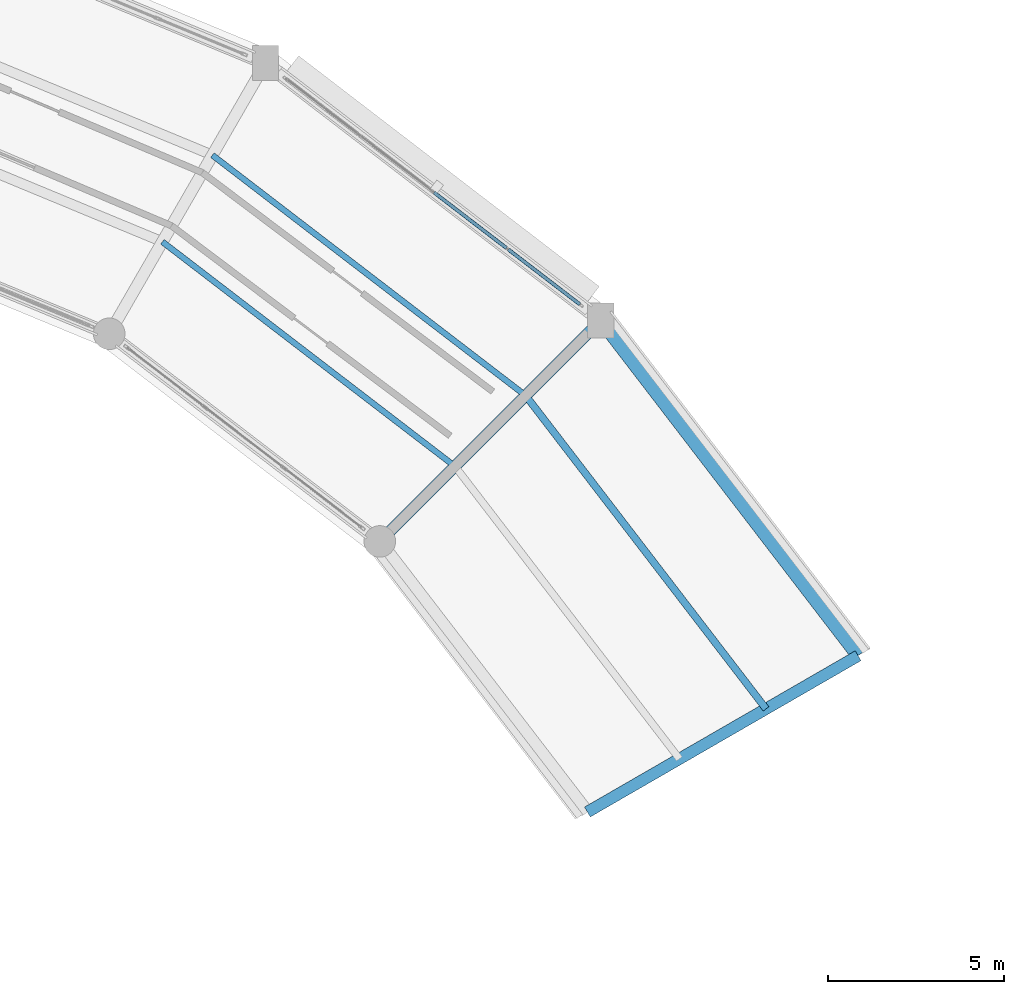
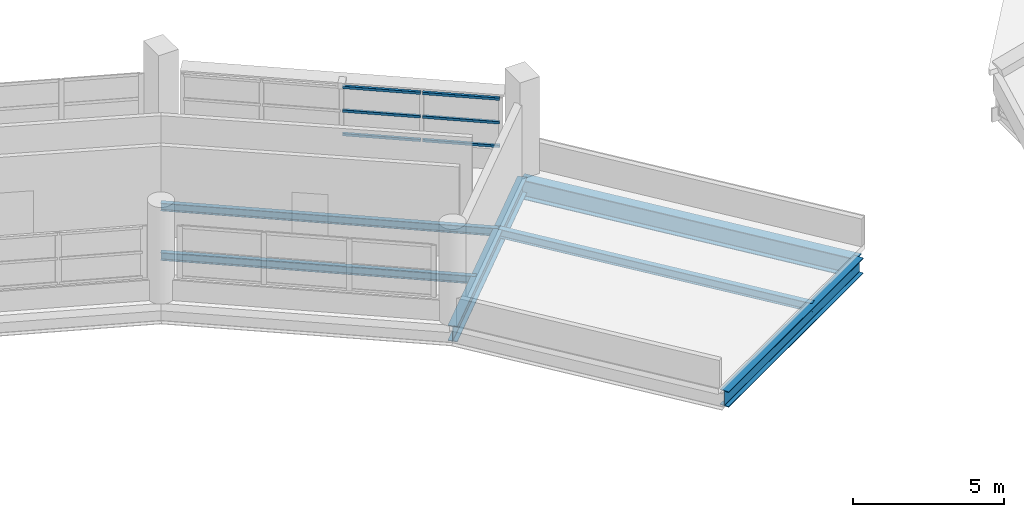
# One storey, part 47 of 88: 6 beams, 6 members, 1 element without a shape of its own.
"""IFC4 building model written with IfcOpenShell, lengths in metres."""

from ifc_helpers import new_model, si_unit, direction, frame, origin, origin_2d, place, context, subcontext, project, spatial, hollow_rectangle, i_section, extrude, material, layer, layer_set, material_profile, profile_set, type_object, element, aggregate, save


model = new_model("IFC4")

# Units and contexts
model_context = context("Model", 3, precision=1e-05, world=origin(), true_north=direction((0.0, 1.0)))
body_context = subcontext(model_context, "Body", "Model", "MODEL_VIEW")
ifc_project = project(units=[si_unit("LENGTHUNIT", "METRE"), si_unit("AREAUNIT", "SQUARE_METRE"), si_unit("VOLUMEUNIT", "CUBIC_METRE"), si_unit("PLANEANGLEUNIT", "RADIAN"), si_unit("MASSUNIT", "GRAM", prefix="KILO")], contexts=[model_context])

# Site, building, storey
site_placement = place(None, origin())
site = spatial("IfcSite", under=ifc_project, at=site_placement, CompositionType="ELEMENT")
building_placement = place(site_placement, origin())
building = spatial("IfcBuilding", under=site, at=building_placement, Name="Vespera Passage Community Centre", CompositionType="ELEMENT")
storey_placement = place(building_placement, frame((0.0, 0.0, 16.5)))
storey = spatial("IfcBuildingStorey", under=building, at=storey_placement, Name="L04", CompositionType="ELEMENT", Elevation=16.5)

# Beams
ifc_material_1 = material(Name="Steel ASTM A992 Grade 50", Category="steel")
ifc_material_profile_1 = material_profile(ifc_material_1, i_section(OverallWidth=0.32763671875, OverallDepth=0.62841796875, WebThickness=0.0166015625, FlangeThickness=0.027587890625, FilletRadius=0.0126953125, at=origin_2d()), Name="W24X146")
ifc_profile_set_1 = profile_set([ifc_material_profile_1], Name="Steel ASTM A992 Grade 50")
beam_type_1 = type_object("IfcBeamType", Name="BM-G-W24X146", PredefinedType="BEAM", material=ifc_profile_set_1)
beam_1_placement = place(storey_placement, frame((110.216064453125, 84.10009765625, -0.6142578125), z_axis=(0.866031643847, 0.499989191739, 0.0), x_axis=(-0.499989191739, 0.866031643847, 0.0)))
element("IfcBeam", 1, at=beam_1_placement, inside=storey, type_object=beam_type_1, Name="V4 L04 Radial Girder 2", PredefinedType="BEAM", context=body_context, shape_type="SweptSolid", body=[
    extrude(i_section(OverallWidth=0.32763671875, OverallDepth=0.62841796875, WebThickness=0.0166015625, FlangeThickness=0.027587890625, FilletRadius=0.0126953125, at=origin_2d()), origin(), (0.0, 0.0, 1.0), 8.900146484375),
])
beam_2_placement = place(storey_placement, frame((104.304443359375, 91.804443359375, -0.6142578125), z_axis=(0.707106781187, 0.707106781187, 0.0), x_axis=(-0.707106781187, 0.707106781187, 0.0)))
element("IfcBeam", 2, at=beam_2_placement, inside=storey, type_object=beam_type_1, Name="V4 L04 Radial Girder 3", PredefinedType="BEAM", context=body_context, shape_type="SweptSolid", body=[
    extrude(i_section(OverallWidth=0.32763671875, OverallDepth=0.62841796875, WebThickness=0.0166015625, FlangeThickness=0.027587890625, FilletRadius=0.0126953125, at=origin_2d()), origin(), (0.0, 0.0, 1.0), 8.89990234375),
])
ifc_material_2 = material(Name="Steel ASTM A992 Grade 50", Category="steel")
ifc_material_profile_2 = material_profile(ifc_material_2, i_section(OverallWidth=0.16650390625, OverallDepth=0.3173828125, WebThickness=0.007568359375, FlangeThickness=0.01318359375, FilletRadius=0.007568359375, at=origin_2d()), Name="W12X35")
ifc_profile_set_2 = profile_set([ifc_material_profile_2], Name="Steel ASTM A992 Grade 50")
beam_type_2 = type_object("IfcBeamType", Name="BM-J-W12X35", PredefinedType="JOIST", material=ifc_profile_set_2)
beam_3_placement = place(storey_placement, frame((106.444091796875, 93.944091796875, -0.458740234375), z_axis=(-0.793356328613, 0.608757534533, 0.0), x_axis=(-0.608757534533, -0.793356328613, 0.0)))
element("IfcBeam", 3, at=beam_3_placement, inside=storey, type_object=beam_type_2, Name="V4 L04 Floor Joist 3.1", PredefinedType="JOIST", context=body_context, shape_type="SweptSolid", body=[
    extrude(i_section(OverallWidth=0.16650390625, OverallDepth=0.3173828125, WebThickness=0.007568359375, FlangeThickness=0.01318359375, FilletRadius=0.007568359375, at=origin_2d()), origin(), (0.0, 0.0, 1.0), 10.5009765625),
])
beam_4_placement = place(storey_placement, frame((108.4580078125, 95.9580078125, -0.458740234375), z_axis=(-0.793354683982, 0.608759677873, 0.0), x_axis=(-0.608759677873, -0.793354683982, 0.0)))
element("IfcBeam", 4, at=beam_4_placement, inside=storey, type_object=beam_type_2, Name="V4 L04 Floor Joist 3.2", PredefinedType="JOIST", context=body_context, shape_type="SweptSolid", body=[
    extrude(i_section(OverallWidth=0.16650390625, OverallDepth=0.3173828125, WebThickness=0.007568359375, FlangeThickness=0.01318359375, FilletRadius=0.007568359375, at=origin_2d()), origin(), (0.0, 0.0, 1.0), 11.24462890625),
])
ifc_material_3 = material(Name="Steel ASTM A992 Grade 50", Category="steel")
ifc_material_profile_3 = material_profile(ifc_material_3, i_section(OverallWidth=0.2041015625, OverallDepth=0.3505859375, WebThickness=0.008544921875, FlangeThickness=0.01513671875, FilletRadius=0.01513671875, at=origin_2d()), Name="W14X48")
ifc_profile_set_3 = profile_set([ifc_material_profile_3], Name="Steel ASTM A992 Grade 50")
beam_type_3 = type_object("IfcBeamType", Name="BM-J-W14X48", PredefinedType="JOIST", material=ifc_profile_set_3)
beam_5_placement = place(storey_placement, frame((115.30322265625, 87.037109375, -0.47509765625), z_axis=(-0.608759677873, 0.793354683982, 0.0), x_axis=(-0.793354683982, -0.608759677873, 0.0)))
element("IfcBeam", 5, at=beam_5_placement, inside=storey, type_object=beam_type_3, Name="V4 L04 Floor Joist 2.2", PredefinedType="JOIST", context=body_context, shape_type="SweptSolid", body=[
    extrude(i_section(OverallWidth=0.2041015625, OverallDepth=0.3505859375, WebThickness=0.008544921875, FlangeThickness=0.01513671875, FilletRadius=0.01513671875, at=origin_2d()), origin(), (0.0, 0.0, 1.0), 11.24462890625),
])
ifc_material_4 = material(Name="Steel ASTM A992 Grade 50", Category="steel")
ifc_material_profile_4 = material_profile(ifc_material_4, i_section(OverallWidth=0.382080078125, OverallDepth=0.779296875, WebThickness=0.01806640625, FlangeThickness=0.030029296875, FilletRadius=0.0166015625, at=origin_2d()), Name="W30X191")
ifc_profile_set_4 = profile_set([ifc_material_profile_4], Name="Steel ASTM A992 Grade 50")
beam_type_4 = type_object("IfcBeamType", Name="BM-SP-W30X191E", PredefinedType="SPANDREL", material=ifc_profile_set_4)
beam_6_placement = place(storey_placement, frame((117.923828125, 88.550048828125, -0.689697265625), z_axis=(-0.608763261066, 0.793351934501, 0.0), x_axis=(-0.793351934501, -0.608763261066, 0.0)))
element("IfcBeam", 6, at=beam_6_placement, inside=storey, type_object=beam_type_4, Name="V4 L04 Outer Spandrel 2", PredefinedType="SPANDREL", context=body_context, shape_type="SweptSolid", body=[
    extrude(i_section(OverallWidth=0.382080078125, OverallDepth=0.779296875, WebThickness=0.01806640625, FlangeThickness=0.030029296875, FilletRadius=0.0166015625, at=origin_2d()), origin(), (0.0, 0.0, 1.0), 12.034423828125),
])

# Curtain wall, members
ifc_material_5 = material(Name="Anodized aluminium 6063-T6", Category="aluminium")
ifc_layer = layer(ifc_material_5, 0.159912109375)
ifc_layer_set = layer_set([ifc_layer], Name="Anodized aluminium 6063-T6")
curtain_wall_type = type_object("IfcCurtainWallType", Name="CW-53E", PredefinedType="NOTDEFINED", material=ifc_layer_set)
curtain_wall_placement = place(storey_placement, origin())
curtain_wall = element("IfcCurtainWall", 7, at=curtain_wall_placement, inside=storey, type_object=curtain_wall_type, Name="V4 L04 Outer Ribbon Curtain Wall 3", PredefinedType="NOTDEFINED")
ifc_material_6 = material(Name="Anodized aluminium 6063-T6", Category="aluminium")
ifc_material_profile_5 = material_profile(ifc_material_6, hollow_rectangle(XDim=0.10009765625, YDim=0.10009765625, WallThickness=0.00390625, InnerFilletRadius=0.001953125, OuterFilletRadius=0.00390625, at=origin_2d()), Name="ALU100X100X4")
ifc_profile_set_5 = profile_set([ifc_material_profile_5], Name="Anodized aluminium 6063-T6")
member_type = type_object("IfcMemberType", Name="MB-CWT-100E", PredefinedType="USERDEFINED", material=ifc_profile_set_5)
member_1_placement = place(storey_placement, frame((105.849609375, 101.740966796875, 0.8701171875), z_axis=(0.793325147434, -0.608798168894, 0.0), x_axis=(0.608798168894, 0.793325147434, 0.0)))
member_1 = element("IfcMember", 8, at=member_1_placement, type_object=member_type, Name="CW-53E transom 3.1", ObjectType="TRANSOM", PredefinedType="USERDEFINED", context=body_context, shape_type="SweptSolid", body=[
    extrude(hollow_rectangle(XDim=0.10009765625, YDim=0.10009765625, WallThickness=0.00390625, InnerFilletRadius=0.001953125, OuterFilletRadius=0.00390625, at=origin_2d()), origin(), (0.0, 0.0, 1.0), 2.599853515625),
])
member_2_placement = place(storey_placement, frame((105.849609375, 101.740966796875, 1.82275390625), z_axis=(0.793325147434, -0.608798168894, 0.0), x_axis=(0.608798168894, 0.793325147434, 0.0)))
member_2 = element("IfcMember", 9, at=member_2_placement, type_object=member_type, Name="CW-53E transom 3.2", ObjectType="TRANSOM", PredefinedType="USERDEFINED", context=body_context, shape_type="SweptSolid", body=[
    extrude(hollow_rectangle(XDim=0.10009765625, YDim=0.10009765625, WallThickness=0.00390625, InnerFilletRadius=0.001953125, OuterFilletRadius=0.00390625, at=origin_2d()), origin(), (0.0, 0.0, 1.0), 2.599853515625),
])
member_3_placement = place(storey_placement, frame((105.849609375, 101.740966796875, 2.775634765625), z_axis=(0.793325147434, -0.608798168894, 0.0), x_axis=(0.608798168894, 0.793325147434, 0.0)))
member_3 = element("IfcMember", 10, at=member_3_placement, type_object=member_type, Name="CW-53E transom 3.3", ObjectType="TRANSOM", PredefinedType="USERDEFINED", context=body_context, shape_type="SweptSolid", body=[
    extrude(hollow_rectangle(XDim=0.10009765625, YDim=0.10009765625, WallThickness=0.00390625, InnerFilletRadius=0.001953125, OuterFilletRadius=0.00390625, at=origin_2d()), origin(), (0.0, 0.0, 1.0), 2.599853515625),
])
member_4_placement = place(storey_placement, frame((107.963623046875, 100.11865234375, 0.8701171875), z_axis=(0.793344571237, -0.608772856893, 0.0), x_axis=(0.608772856893, 0.793344571237, 0.0)))
member_4 = element("IfcMember", 11, at=member_4_placement, type_object=member_type, Name="CW-53E transom 4.1", ObjectType="TRANSOM", PredefinedType="USERDEFINED", context=body_context, shape_type="SweptSolid", body=[
    extrude(hollow_rectangle(XDim=0.10009765625, YDim=0.10009765625, WallThickness=0.00390625, InnerFilletRadius=0.001953125, OuterFilletRadius=0.00390625, at=origin_2d()), origin(), (0.0, 0.0, 1.0), 2.5673828125),
])
member_5_placement = place(storey_placement, frame((107.963623046875, 100.11865234375, 1.82275390625), z_axis=(0.793344571237, -0.608772856893, 0.0), x_axis=(0.608772856893, 0.793344571237, 0.0)))
member_5 = element("IfcMember", 12, at=member_5_placement, type_object=member_type, Name="CW-53E transom 4.2", ObjectType="TRANSOM", PredefinedType="USERDEFINED", context=body_context, shape_type="SweptSolid", body=[
    extrude(hollow_rectangle(XDim=0.10009765625, YDim=0.10009765625, WallThickness=0.00390625, InnerFilletRadius=0.001953125, OuterFilletRadius=0.00390625, at=origin_2d()), origin(), (0.0, 0.0, 1.0), 2.5673828125),
])
member_6_placement = place(storey_placement, frame((107.963623046875, 100.11865234375, 2.775634765625), z_axis=(0.793344571237, -0.608772856893, 0.0), x_axis=(0.608772856893, 0.793344571237, 0.0)))
member_6 = element("IfcMember", 13, at=member_6_placement, type_object=member_type, Name="CW-53E transom 4.3", ObjectType="TRANSOM", PredefinedType="USERDEFINED", context=body_context, shape_type="SweptSolid", body=[
    extrude(hollow_rectangle(XDim=0.10009765625, YDim=0.10009765625, WallThickness=0.00390625, InnerFilletRadius=0.001953125, OuterFilletRadius=0.00390625, at=origin_2d()), origin(), (0.0, 0.0, 1.0), 2.5673828125),
])
aggregate(curtain_wall, [member_1, member_2, member_3, member_4, member_5, member_6])

save(model, "model.ifc")
